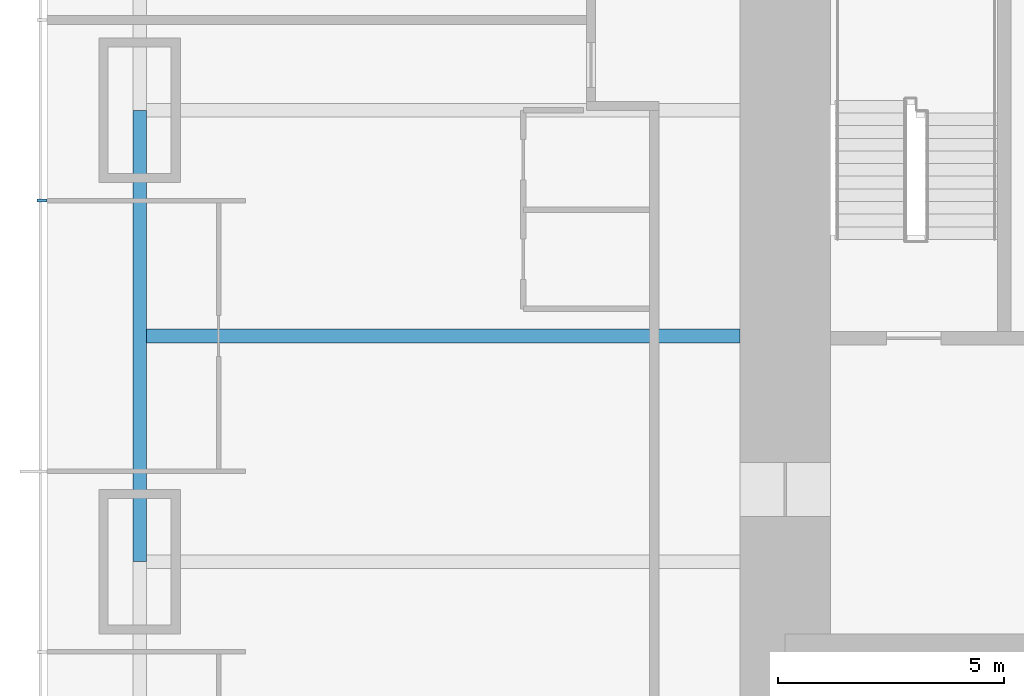
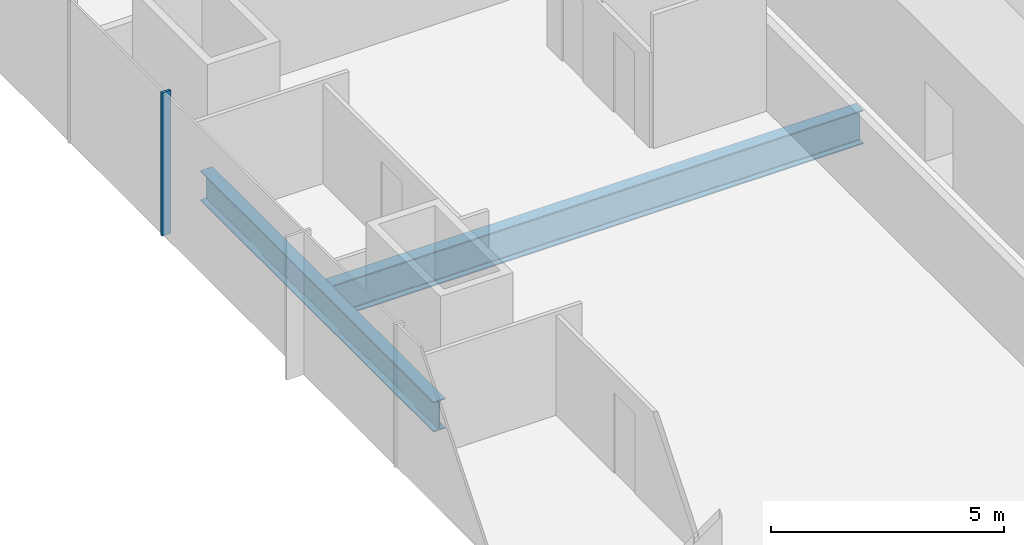
# One storey, part 3 of 20: 2 beams, 1 member, 1 element without a shape of its own.
"""IFC4 building model written with IfcOpenShell, lengths in metres."""

from ifc_helpers import new_model, si_unit, direction, frame, origin, origin_2d, place, context, subcontext, project, spatial, rectangle, i_section, extrude, material, material_profile, profile_set, type_object, element, aggregate, save


model = new_model("IFC4")

# Units and contexts
model_context = context("Model", 3, precision=1e-05, world=origin(), true_north=direction((0.0, 1.0)))
body_context = subcontext(model_context, "Body", "Model", "MODEL_VIEW")
ifc_project = project(units=[si_unit("LENGTHUNIT", "METRE"), si_unit("AREAUNIT", "SQUARE_METRE"), si_unit("VOLUMEUNIT", "CUBIC_METRE"), si_unit("PLANEANGLEUNIT", "RADIAN"), si_unit("MASSUNIT", "GRAM", prefix="KILO")], contexts=[model_context])

# Site, building, storey
site_placement = place(None, origin())
site = spatial("IfcSite", under=ifc_project, at=site_placement, CompositionType="ELEMENT")
building_placement = place(site_placement, origin())
building = spatial("IfcBuilding", under=site, at=building_placement, Name="Khuree Lantern Residences", CompositionType="ELEMENT")
storey_placement = place(building_placement, frame((0.0, 0.0, 32.25)))
storey = spatial("IfcBuildingStorey", under=building, at=storey_placement, Name="L07", CompositionType="ELEMENT", Elevation=32.25)

# Beams
ifc_material_1 = material(Name="Steel S355", Category="steel")
ifc_material_profile_1 = material_profile(ifc_material_1, i_section(OverallWidth=0.300048828125, OverallDepth=0.889892578125, WebThickness=0.01611328125, FlangeThickness=0.030029296875, FilletRadius=0.030029296875, at=origin_2d()), Name="HE 900 A")
ifc_profile_set_1 = profile_set([ifc_material_profile_1], Name="Steel S355")
beam_type_1 = type_object("IfcBeamType", Name="B-11 SECONDARY BEAM HE 900 A", PredefinedType="BEAM", material=ifc_profile_set_1)
beam_1_placement = place(storey_placement, frame((-29.800048828125, -5.0, -0.695068359375), z_axis=(1.0, 0.0, 0.0), x_axis=(0.0, 1.0, 0.0)))
element("IfcBeam", 1, at=beam_1_placement, inside=storey, type_object=beam_type_1, Name="Secondary beam W3", PredefinedType="BEAM", context=body_context, shape_type="SweptSolid", body=[
    extrude(i_section(OverallWidth=0.300048828125, OverallDepth=0.889892578125, WebThickness=0.01611328125, FlangeThickness=0.030029296875, FilletRadius=0.030029296875, at=origin_2d()), origin(), (0.0, 0.0, 1.0), 13.300048828125),
])
ifc_material_profile_2 = material_profile(ifc_material_1, i_section(OverallWidth=0.300048828125, OverallDepth=0.7900390625, WebThickness=0.014892578125, FlangeThickness=0.028076171875, FilletRadius=0.030029296875, at=origin_2d()), Name="HE 800 A")
ifc_profile_set_2 = profile_set([ifc_material_profile_2], Name="Steel S355")
beam_type_2 = type_object("IfcBeamType", Name="E-11 SPANDREL BEAM HE 800 A", PredefinedType="SPANDREL", material=ifc_profile_set_2)
beam_2_placement = place(storey_placement, frame((-29.800048828125, -10.0, -0.64501953125), z_axis=(0.0, 1.0, 0.0), x_axis=(-1.0, 0.0, 0.0)))
element("IfcBeam", 2, at=beam_2_placement, inside=storey, type_object=beam_type_2, Name="Spandrel beam W3", PredefinedType="SPANDREL", context=body_context, shape_type="SweptSolid", body=[
    extrude(i_section(OverallWidth=0.300048828125, OverallDepth=0.7900390625, WebThickness=0.014892578125, FlangeThickness=0.028076171875, FilletRadius=0.030029296875, at=origin_2d()), origin(), (0.0, 0.0, 1.0), 10.0),
])

# Curtain wall, member
ifc_material_2 = material(Name="Bronze anodised aluminium", Category="aluminium")
curtain_wall_type = type_object("IfcCurtainWallType", Name="CW-T1 TOWER FACE CURTAIN WALL", PredefinedType="USERDEFINED", material=ifc_material_2)
curtain_wall_placement = place(storey_placement, origin())
curtain_wall = element("IfcCurtainWall", 3, at=curtain_wall_placement, inside=storey, type_object=curtain_wall_type, Name="L07 WEST FACE CURTAIN WALL", ObjectType="Stick-built curtain wall", PredefinedType="USERDEFINED")
ifc_material_profile_3 = material_profile(ifc_material_2, rectangle(XDim=0.06494140625, YDim=0.219970703125, at=origin_2d()), Name="M1 65X220")
ifc_profile_set_3 = profile_set([ifc_material_profile_3], Name="Bronze anodised aluminium")
member_type = type_object("IfcMemberType", Name="M1 BRONZE MULLION TOWER 65X220", PredefinedType="MULLION", material=ifc_profile_set_3)
member_placement = place(storey_placement, frame((-31.9599609375, -2.0, 0.0), z_axis=(0.0, 0.0, 1.0), x_axis=(0.0, -1.0, 0.0)))
member = element("IfcMember", 4, at=member_placement, type_object=member_type, Name="L07 WEST FACE MULLION 38", PredefinedType="MULLION", context=body_context, shape_type="SweptSolid", body=[
    extrude(rectangle(XDim=0.06494140625, YDim=0.219970703125, at=origin_2d()), origin(), (0.0, 0.0, 1.0), 3.75),
])
aggregate(curtain_wall, [member])

save(model, "model.ifc")
